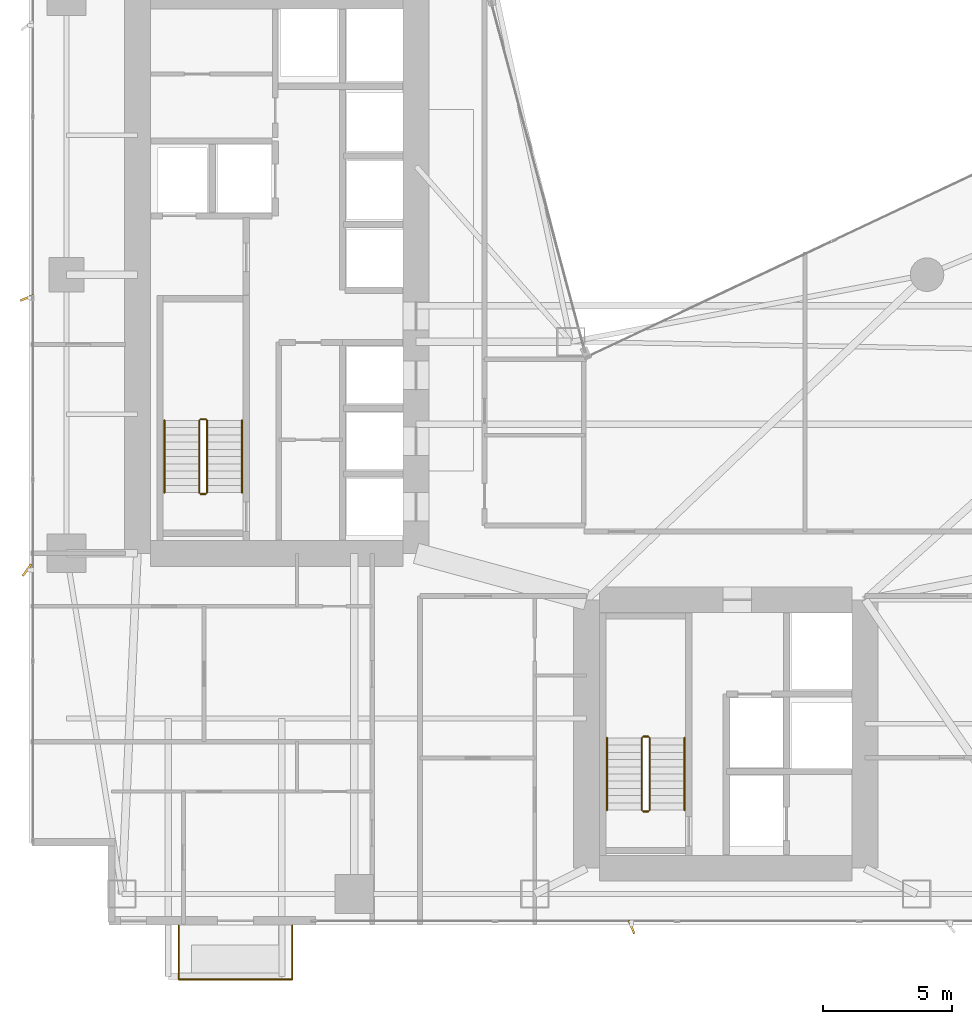
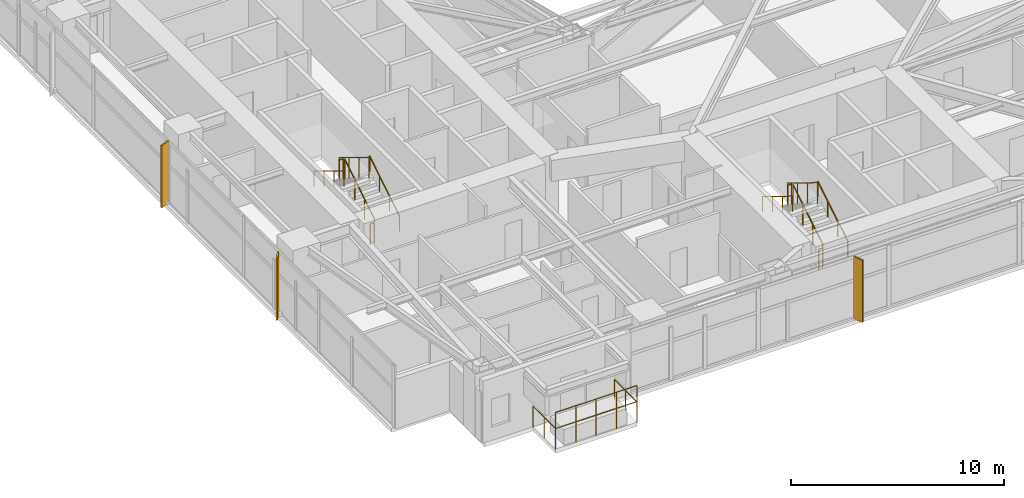
# One storey, part 28 of 29: 14 railings, 3 shading devices.
"""IFC4 building model written with IfcOpenShell, lengths in metres."""

from ifc_helpers import new_model, si_unit, direction, frame, origin, origin_2d, place, context, subcontext, project, spatial, rectangle, circle, extrude, material, type_object, element, save


model = new_model("IFC4")

# Units and contexts
model_context = context("Model", 3, precision=1e-05, world=origin(), true_north=direction((0.0, 1.0)))
body_context = subcontext(model_context, "Body", "Model", "MODEL_VIEW")
ifc_project = project(units=[si_unit("LENGTHUNIT", "METRE"), si_unit("AREAUNIT", "SQUARE_METRE"), si_unit("VOLUMEUNIT", "CUBIC_METRE"), si_unit("PLANEANGLEUNIT", "RADIAN"), si_unit("MASSUNIT", "GRAM", prefix="KILO")], contexts=[model_context])

# Site, building, storey
site_placement = place(None, origin())
site = spatial("IfcSite", under=ifc_project, at=site_placement, CompositionType="ELEMENT")
building_placement = place(site_placement, origin())
building = spatial("IfcBuilding", under=site, at=building_placement, Name="Calvorn Quay Hotel", CompositionType="ELEMENT")
storey_placement = place(building_placement, frame((0.0, 0.0, 38.39990234375)))
storey = spatial("IfcBuildingStorey", under=building, at=storey_placement, Name="L08", CompositionType="ELEMENT", Elevation=38.39990234375)

# Railings
ifc_material_1 = material(Name="Pale Anodised Aluminium and Laminated Glass", Category="aluminium")
railing_type_1 = type_object("IfcRailingType", Name="RLG-BALUSTRADE-1200", PredefinedType="BALUSTRADE", material=ifc_material_1)
railing_1_placement = place(storey_placement, frame((5.800048828125, 2.389892578125, 0.0)))
element("IfcRailing", 1, at=railing_1_placement, inside=storey, type_object=railing_type_1, Name="Tree Balcony Perimeter Balustrade L08-BALC-S", PredefinedType="BALUSTRADE", context=body_context, shape_type="SweptSolid", body=[
    extrude(circle(Radius=0.02392578125, at=origin_2d()), frame((0.0, 0.0, 1.17578125), z_axis=(0.0, -1.0, 0.0), x_axis=(1.0, 0.0, 0.0)), (0.0, 0.0, 1.0), 2.099853515625),
    extrude(circle(Radius=0.02392578125, at=origin_2d()), frame((0.0, -2.099853515625, 1.17578125), z_axis=(1.0, 0.0, 0.0), x_axis=(0.0, 1.0, 0.0)), (0.0, 0.0, 1.0), 4.39990234375),
    extrude(circle(Radius=0.02392578125, at=origin_2d()), frame((4.39990234375, -2.099853515625, 1.17578125), z_axis=(0.0, 1.0, 0.0), x_axis=(-1.0, 0.0, 0.0)), (0.0, 0.0, 1.0), 2.099853515625),
    extrude(circle(Radius=0.02099609375, at=origin_2d()), origin(), (0.0, 0.0, 1.0), 1.15185546875),
    extrude(circle(Radius=0.02099609375, at=origin_2d()), frame((0.0, -1.0498046875, 0.0)), (0.0, 0.0, 1.0), 1.15185546875),
    extrude(circle(Radius=0.02099609375, at=origin_2d()), frame((0.0, -2.099853515625, 0.0)), (0.0, 0.0, 1.0), 1.15185546875),
    extrude(circle(Radius=0.02099609375, at=origin_2d()), frame((1.10009765625, -2.099853515625, 0.0)), (0.0, 0.0, 1.0), 1.15185546875),
    extrude(circle(Radius=0.02099609375, at=origin_2d()), frame((2.199951171875, -2.099853515625, 0.0)), (0.0, 0.0, 1.0), 1.15185546875),
    extrude(circle(Radius=0.02099609375, at=origin_2d()), frame((3.2998046875, -2.099853515625, 0.0)), (0.0, 0.0, 1.0), 1.15185546875),
    extrude(circle(Radius=0.02099609375, at=origin_2d()), frame((4.39990234375, -2.099853515625, 0.0)), (0.0, 0.0, 1.0), 1.15185546875),
    extrude(circle(Radius=0.02099609375, at=origin_2d()), frame((4.39990234375, -1.0498046875, 0.0)), (0.0, 0.0, 1.0), 1.15185546875),
    extrude(circle(Radius=0.02099609375, at=origin_2d()), frame((4.39990234375, 0.0, 0.0)), (0.0, 0.0, 1.0), 1.15185546875),
])
railing_2_placement = place(storey_placement, frame((5.800048828125, 0.2900390625, 0.900146484375)))
element("IfcRailing", 2, at=railing_2_placement, inside=storey, type_object=railing_type_1, Name="Planter Kerb High Safety Screen L08-BALC-S", PredefinedType="BALUSTRADE", context=body_context, shape_type="SweptSolid", body=[
    extrude(circle(Radius=0.02392578125, at=origin_2d()), frame((0.0, 0.0, 1.19580078125), z_axis=(1.0, 0.0, 0.0), x_axis=(0.0, 1.0, 0.0)), (0.0, 0.0, 1.0), 4.39990234375),
    extrude(circle(Radius=0.02099609375, at=origin_2d()), origin(), (0.0, 0.0, 1.0), 1.171875),
    extrude(circle(Radius=0.02099609375, at=origin_2d()), frame((1.10009765625, 0.0, 0.0)), (0.0, 0.0, 1.0), 1.171875),
    extrude(circle(Radius=0.02099609375, at=origin_2d()), frame((2.199951171875, 0.0, 0.0)), (0.0, 0.0, 1.0), 1.171875),
    extrude(circle(Radius=0.02099609375, at=origin_2d()), frame((3.2998046875, 0.0, 0.0)), (0.0, 0.0, 1.0), 1.171875),
    extrude(circle(Radius=0.02099609375, at=origin_2d()), frame((4.39990234375, 0.0, 0.0)), (0.0, 0.0, 1.0), 1.171875),
])
ifc_material_2 = material(Name="Brushed Stainless Steel Handrail", Category="steel")
railing_type_2 = type_object("IfcRailingType", Name="RLG-HANDRAIL-900", PredefinedType="HANDRAIL", material=ifc_material_2)
railing_3_placement = place(storey_placement, frame((8.25, 19.14990234375, 0.1728515625)))
element("IfcRailing", 3, at=railing_3_placement, inside=storey, type_object=railing_type_2, Name="L08 ST-W stair handrail 1", PredefinedType="HANDRAIL", context=body_context, shape_type="SweptSolid", body=[
    extrude(circle(Radius=0.02392578125, at=origin_2d()), frame((0.0, 0.0, 0.8759765625), z_axis=(0.0, 0.851089632645, 0.525020415988), x_axis=(-1.0, 0.0, 0.0)), (0.0, 0.0, 1.0), 3.2900390625),
    extrude(circle(Radius=0.02099609375, at=origin_2d()), origin(), (0.0, 0.0, 1.0), 0.851806640625),
    extrude(circle(Radius=0.02099609375, at=origin_2d()), frame((0.0, 0.933349609375, 0.57568359375)), (0.0, 0.0, 1.0), 0.851806640625),
    extrude(circle(Radius=0.02099609375, at=origin_2d()), frame((0.0, 1.86669921875, 1.151611328125)), (0.0, 0.0, 1.0), 0.851806640625),
    extrude(circle(Radius=0.02099609375, at=origin_2d()), frame((0.0, 2.800048828125, 1.727294921875)), (0.0, 0.0, 1.0), 0.851806640625),
])
railing_4_placement = place(storey_placement, frame((5.25, 21.949951171875, 2.07275390625)))
element("IfcRailing", 4, at=railing_4_placement, inside=storey, type_object=railing_type_2, Name="L08 ST-W stair handrail 2", PredefinedType="HANDRAIL", context=body_context, shape_type="SweptSolid", body=[
    extrude(circle(Radius=0.02392578125, at=origin_2d()), frame((0.0, 0.0, 0.8759765625), z_axis=(0.0, -0.851089632645, 0.525020415988), x_axis=(1.0, 0.0, 0.0)), (0.0, 0.0, 1.0), 3.2900390625),
    extrude(circle(Radius=0.02099609375, at=origin_2d()), origin(), (0.0, 0.0, 1.0), 0.851806640625),
    extrude(circle(Radius=0.02099609375, at=origin_2d()), frame((0.0, -0.933349609375, 0.57568359375)), (0.0, 0.0, 1.0), 0.851806640625),
    extrude(circle(Radius=0.02099609375, at=origin_2d()), frame((0.0, -1.86669921875, 1.151611328125)), (0.0, 0.0, 1.0), 0.851806640625),
    extrude(circle(Radius=0.02099609375, at=origin_2d()), frame((0.0, -2.800048828125, 1.727294921875)), (0.0, 0.0, 1.0), 0.851806640625),
])
railing_5_placement = place(storey_placement, frame((25.39990234375, 6.85009765625, 0.1728515625)))
element("IfcRailing", 5, at=railing_5_placement, inside=storey, type_object=railing_type_2, Name="L08 ST-E stair handrail 1", PredefinedType="HANDRAIL", context=body_context, shape_type="SweptSolid", body=[
    extrude(circle(Radius=0.02392578125, at=origin_2d()), frame((0.0, 0.0, 0.8759765625), z_axis=(0.0, 0.851069175582, 0.525053576669), x_axis=(-1.0, 0.0, 0.0)), (0.0, 0.0, 1.0), 3.289794921875),
    extrude(circle(Radius=0.02099609375, at=origin_2d()), origin(), (0.0, 0.0, 1.0), 0.851806640625),
    extrude(circle(Radius=0.02099609375, at=origin_2d()), frame((0.0, 0.933349609375, 0.57568359375)), (0.0, 0.0, 1.0), 0.851806640625),
    extrude(circle(Radius=0.02099609375, at=origin_2d()), frame((0.0, 1.866455078125, 1.151611328125)), (0.0, 0.0, 1.0), 0.851806640625),
    extrude(circle(Radius=0.02099609375, at=origin_2d()), frame((0.0, 2.7998046875, 1.727294921875)), (0.0, 0.0, 1.0), 0.851806640625),
])
railing_6_placement = place(storey_placement, frame((22.39990234375, 9.64990234375, 2.07275390625)))
element("IfcRailing", 6, at=railing_6_placement, inside=storey, type_object=railing_type_2, Name="L08 ST-E stair handrail 2", PredefinedType="HANDRAIL", context=body_context, shape_type="SweptSolid", body=[
    extrude(circle(Radius=0.02392578125, at=origin_2d()), frame((0.0, 0.0, 0.8759765625), z_axis=(0.0, -0.851069175582, 0.525053576669), x_axis=(1.0, 0.0, 0.0)), (0.0, 0.0, 1.0), 3.289794921875),
    extrude(circle(Radius=0.02099609375, at=origin_2d()), origin(), (0.0, 0.0, 1.0), 0.851806640625),
    extrude(circle(Radius=0.02099609375, at=origin_2d()), frame((0.0, -0.933349609375, 0.57568359375)), (0.0, 0.0, 1.0), 0.851806640625),
    extrude(circle(Radius=0.02099609375, at=origin_2d()), frame((0.0, -1.866455078125, 1.151611328125)), (0.0, 0.0, 1.0), 0.851806640625),
    extrude(circle(Radius=0.02099609375, at=origin_2d()), frame((0.0, -2.7998046875, 1.727294921875)), (0.0, 0.0, 1.0), 0.851806640625),
])
ifc_material_3 = material(Name="Painted Galvanised Steel Balustrade", Category="steel")
railing_type_3 = type_object("IfcRailingType", Name="RLG-STAIR-GUARD-1120", PredefinedType="GUARDRAIL", material=ifc_material_3)
railing_7_placement = place(storey_placement, frame((6.89990234375, 19.14990234375, 0.1728515625)))
element("IfcRailing", 7, at=railing_7_placement, inside=storey, type_object=railing_type_3, Name="L08 ST-W stair guard 1", PredefinedType="GUARDRAIL", context=body_context, shape_type="SweptSolid", body=[
    extrude(circle(Radius=0.02392578125, at=origin_2d()), frame((0.0, 0.0, 1.17578125), z_axis=(0.0, 0.851089632645, 0.525020415988), x_axis=(-1.0, 0.0, 0.0)), (0.0, 0.0, 1.0), 3.2900390625),
    extrude(circle(Radius=0.02099609375, at=origin_2d()), origin(), (0.0, 0.0, 1.0), 1.15185546875),
    extrude(circle(Radius=0.02099609375, at=origin_2d()), frame((0.0, 0.933349609375, 0.57568359375)), (0.0, 0.0, 1.0), 1.15185546875),
    extrude(circle(Radius=0.02099609375, at=origin_2d()), frame((0.0, 1.86669921875, 1.151611328125)), (0.0, 0.0, 1.0), 1.15185546875),
    extrude(circle(Radius=0.02099609375, at=origin_2d()), frame((0.0, 2.800048828125, 1.727294921875)), (0.0, 0.0, 1.0), 1.15185546875),
])
railing_8_placement = place(storey_placement, frame((6.85009765625, 22.0, 1.900146484375)))
element("IfcRailing", 8, at=railing_8_placement, inside=storey, type_object=railing_type_3, Name="L08 ST-W stair guard 2", PredefinedType="GUARDRAIL", context=body_context, shape_type="SweptSolid", body=[
    extrude(circle(Radius=0.02392578125, at=origin_2d()), frame((0.0, 0.0, 1.17578125), z_axis=(-1.0, 0.0, 0.0), x_axis=(0.0, -1.0, 0.0)), (0.0, 0.0, 1.0), 0.2001953125),
    extrude(circle(Radius=0.02099609375, at=origin_2d()), origin(), (0.0, 0.0, 1.0), 1.15185546875),
    extrude(circle(Radius=0.02099609375, at=origin_2d()), frame((-0.2001953125, 0.0, 0.0)), (0.0, 0.0, 1.0), 1.15185546875),
])
railing_9_placement = place(storey_placement, frame((6.60009765625, 21.949951171875, 2.07275390625)))
element("IfcRailing", 9, at=railing_9_placement, inside=storey, type_object=railing_type_3, Name="L08 ST-W stair guard 3", PredefinedType="GUARDRAIL", context=body_context, shape_type="SweptSolid", body=[
    extrude(circle(Radius=0.02392578125, at=origin_2d()), frame((0.0, 0.0, 1.17578125), z_axis=(0.0, -0.851089632645, 0.525020415988), x_axis=(1.0, 0.0, 0.0)), (0.0, 0.0, 1.0), 3.2900390625),
    extrude(circle(Radius=0.02099609375, at=origin_2d()), origin(), (0.0, 0.0, 1.0), 1.15185546875),
    extrude(circle(Radius=0.02099609375, at=origin_2d()), frame((0.0, -0.933349609375, 0.57568359375)), (0.0, 0.0, 1.0), 1.15185546875),
    extrude(circle(Radius=0.02099609375, at=origin_2d()), frame((0.0, -1.86669921875, 1.151611328125)), (0.0, 0.0, 1.0), 1.15185546875),
    extrude(circle(Radius=0.02099609375, at=origin_2d()), frame((0.0, -2.800048828125, 1.727294921875)), (0.0, 0.0, 1.0), 1.15185546875),
])
railing_10_placement = place(storey_placement, frame((6.85009765625, 19.10009765625, 0.0)))
element("IfcRailing", 10, at=railing_10_placement, inside=storey, type_object=railing_type_3, Name="L08 ST-W stair guard 4", PredefinedType="GUARDRAIL", context=body_context, shape_type="SweptSolid", body=[
    extrude(circle(Radius=0.02392578125, at=origin_2d()), frame((0.0, 0.0, 1.17578125), z_axis=(-1.0, 0.0, 0.0), x_axis=(0.0, -1.0, 0.0)), (0.0, 0.0, 1.0), 0.2001953125),
    extrude(circle(Radius=0.02099609375, at=origin_2d()), origin(), (0.0, 0.0, 1.0), 1.15185546875),
    extrude(circle(Radius=0.02099609375, at=origin_2d()), frame((-0.2001953125, 0.0, 0.0)), (0.0, 0.0, 1.0), 1.15185546875),
])
railing_11_placement = place(storey_placement, frame((24.050048828125, 6.85009765625, 0.1728515625)))
element("IfcRailing", 11, at=railing_11_placement, inside=storey, type_object=railing_type_3, Name="L08 ST-E stair guard 1", PredefinedType="GUARDRAIL", context=body_context, shape_type="SweptSolid", body=[
    extrude(circle(Radius=0.02392578125, at=origin_2d()), frame((0.0, 0.0, 1.17578125), z_axis=(0.0, 0.851069175582, 0.525053576669), x_axis=(-1.0, 0.0, 0.0)), (0.0, 0.0, 1.0), 3.289794921875),
    extrude(circle(Radius=0.02099609375, at=origin_2d()), origin(), (0.0, 0.0, 1.0), 1.15185546875),
    extrude(circle(Radius=0.02099609375, at=origin_2d()), frame((0.0, 0.933349609375, 0.57568359375)), (0.0, 0.0, 1.0), 1.15185546875),
    extrude(circle(Radius=0.02099609375, at=origin_2d()), frame((0.0, 1.866455078125, 1.151611328125)), (0.0, 0.0, 1.0), 1.15185546875),
    extrude(circle(Radius=0.02099609375, at=origin_2d()), frame((0.0, 2.7998046875, 1.727294921875)), (0.0, 0.0, 1.0), 1.15185546875),
])
railing_12_placement = place(storey_placement, frame((24.0, 9.699951171875, 1.900146484375)))
element("IfcRailing", 12, at=railing_12_placement, inside=storey, type_object=railing_type_3, Name="L08 ST-E stair guard 2", PredefinedType="GUARDRAIL", context=body_context, shape_type="SweptSolid", body=[
    extrude(circle(Radius=0.02392578125, at=origin_2d()), frame((0.0, 0.0, 1.17578125), z_axis=(-1.0, 0.0, 0.0), x_axis=(0.0, -1.0, 0.0)), (0.0, 0.0, 1.0), 0.199951171875),
    extrude(circle(Radius=0.02099609375, at=origin_2d()), origin(), (0.0, 0.0, 1.0), 1.15185546875),
    extrude(circle(Radius=0.02099609375, at=origin_2d()), frame((-0.199951171875, 0.0, 0.0)), (0.0, 0.0, 1.0), 1.15185546875),
])
railing_13_placement = place(storey_placement, frame((23.75, 9.64990234375, 2.07275390625)))
element("IfcRailing", 13, at=railing_13_placement, inside=storey, type_object=railing_type_3, Name="L08 ST-E stair guard 3", PredefinedType="GUARDRAIL", context=body_context, shape_type="SweptSolid", body=[
    extrude(circle(Radius=0.02392578125, at=origin_2d()), frame((0.0, 0.0, 1.17578125), z_axis=(0.0, -0.851069175582, 0.525053576669), x_axis=(1.0, 0.0, 0.0)), (0.0, 0.0, 1.0), 3.289794921875),
    extrude(circle(Radius=0.02099609375, at=origin_2d()), origin(), (0.0, 0.0, 1.0), 1.15185546875),
    extrude(circle(Radius=0.02099609375, at=origin_2d()), frame((0.0, -0.933349609375, 0.57568359375)), (0.0, 0.0, 1.0), 1.15185546875),
    extrude(circle(Radius=0.02099609375, at=origin_2d()), frame((0.0, -1.866455078125, 1.151611328125)), (0.0, 0.0, 1.0), 1.15185546875),
    extrude(circle(Radius=0.02099609375, at=origin_2d()), frame((0.0, -2.7998046875, 1.727294921875)), (0.0, 0.0, 1.0), 1.15185546875),
])
railing_14_placement = place(storey_placement, frame((24.0, 6.800048828125, 0.0)))
element("IfcRailing", 14, at=railing_14_placement, inside=storey, type_object=railing_type_3, Name="L08 ST-E stair guard 4", PredefinedType="GUARDRAIL", context=body_context, shape_type="SweptSolid", body=[
    extrude(circle(Radius=0.02392578125, at=origin_2d()), frame((0.0, 0.0, 1.17578125), z_axis=(-1.0, 0.0, 0.0), x_axis=(0.0, -1.0, 0.0)), (0.0, 0.0, 1.0), 0.199951171875),
    extrude(circle(Radius=0.02099609375, at=origin_2d()), origin(), (0.0, 0.0, 1.0), 1.15185546875),
    extrude(circle(Radius=0.02099609375, at=origin_2d()), frame((-0.199951171875, 0.0, 0.0)), (0.0, 0.0, 1.0), 1.15185546875),
])

# Shading devices
ifc_material_4 = material(Name="Champagne Bronze Anodised Aluminium 6063-T6", Category="aluminium")
shading_device_type_1 = type_object("IfcShadingDeviceType", Name="SHD-FIN-A1", PredefinedType="USERDEFINED", material=ifc_material_4)
for number, where, z_axis, x_axis, name in (
    (15, (-0.080078125, 26.699951171875, 0.0), (0.0, 0.0, 1.0), (0.927183854567, 0.374606593416, 0.0), "Diagonal Sun-Shading Fin L08-W02"),
    (16, (23.35009765625, 2.320068359375, 0.0), (0.0, 0.0, 1.0), (-0.374606593416, 0.927183854567, 0.0), "Diagonal Sun-Shading Fin L08-S01"),
):
    element("IfcShadingDevice", number, at=place(storey_placement, frame(where, z_axis=z_axis, x_axis=x_axis)), inside=storey, type_object=shading_device_type_1, Name=name, ObjectType="FIN", PredefinedType="USERDEFINED", context=body_context, shape_type="SweptSolid", body=[
        extrude(rectangle(XDim=0.550048828125, YDim=0.080078125, at=origin_2d()), origin(), (0.0, 0.0, 1.0), 3.56005859375),
    ])
ifc_material_5 = material(Name="Champagne Bronze Anodised Aluminium 6063-T6", Category="aluminium")
shading_device_type_2 = type_object("IfcShadingDeviceType", Name="SHD-FIN-A3", PredefinedType="USERDEFINED", material=ifc_material_5)
shading_device_placement = place(storey_placement, frame((-0.080078125, 16.14990234375, 0.0), z_axis=(0.0, 0.0, 1.0), x_axis=(0.587785252292, 0.809016994375, 0.0)))
element("IfcShadingDevice", 17, at=shading_device_placement, inside=storey, type_object=shading_device_type_2, Name="Diagonal Sun-Shading Fin L08-W01", ObjectType="FIN", PredefinedType="USERDEFINED", context=body_context, shape_type="SweptSolid", body=[
    extrude(rectangle(XDim=0.550048828125, YDim=0.080078125, at=origin_2d()), origin(), (0.0, 0.0, 1.0), 3.56005859375),
])

save(model, "model.ifc")
